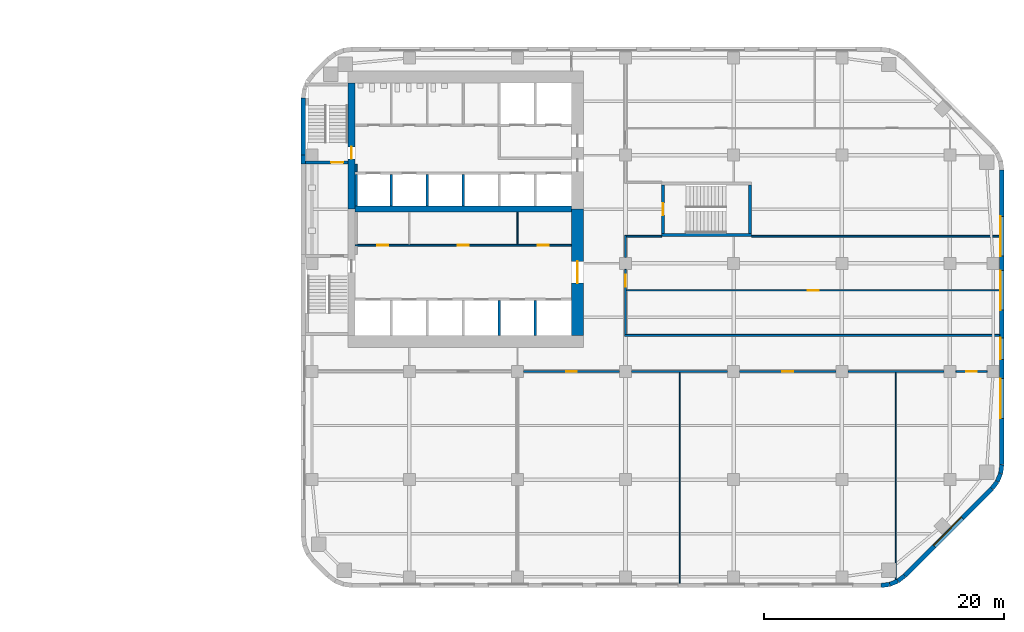
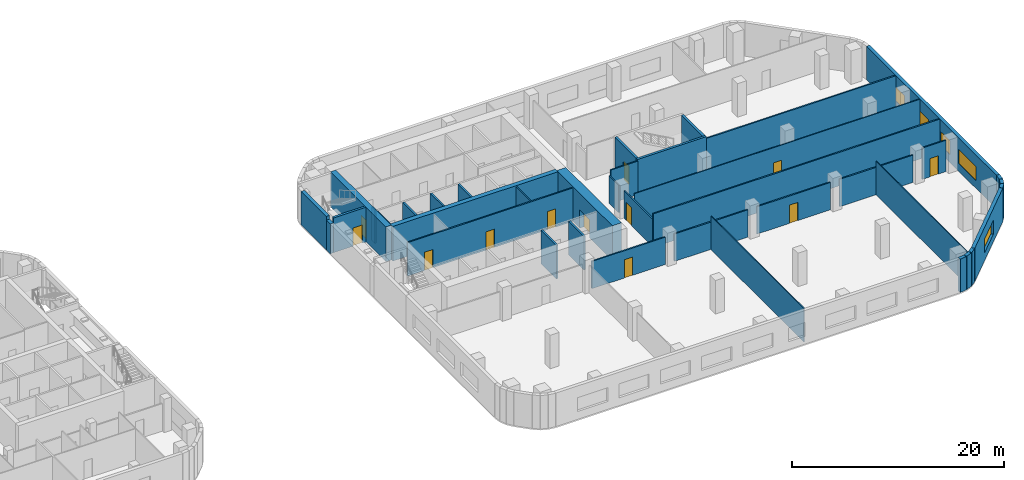
# One storey, part 9 of 15: 39 walls, 12 doors, 5 windows, 17 openings.
"""IFC4 building model written with IfcOpenShell, lengths in metres."""

from ifc_helpers import new_model, si_unit, direction, frame, frame_2d, origin, place, context, subcontext, project, spatial, rectangle, extrude, material, layer, layer_set, type_object, element, fill, save


model = new_model("IFC4")

# Units and contexts
model_context = context("Model", 3, precision=1e-05, world=origin(), true_north=direction((0.0, 1.0)))
body_context = subcontext(model_context, "Body", "Model", "MODEL_VIEW")
ifc_project = project(units=[si_unit("LENGTHUNIT", "METRE"), si_unit("AREAUNIT", "SQUARE_METRE"), si_unit("VOLUMEUNIT", "CUBIC_METRE"), si_unit("PLANEANGLEUNIT", "RADIAN"), si_unit("MASSUNIT", "GRAM", prefix="KILO")], contexts=[model_context])

# Site, building, storey
site_placement = place(None, origin())
site = spatial("IfcSite", under=ifc_project, at=site_placement, CompositionType="ELEMENT")
building_placement = place(site_placement, origin())
building = spatial("IfcBuilding", under=site, at=building_placement, Name="Cinnabar Reach Civic Tower", CompositionType="ELEMENT")
storey_placement = place(building_placement, frame((0.0, 0.0, 67.0)))
storey = spatial("IfcBuildingStorey", under=building, at=storey_placement, Name="L15", CompositionType="ELEMENT", Elevation=67.0)

# Walls
ifc_material_1 = material(Name="Facing brick with insulated backing", Category="masonry")
ifc_layer_1 = layer(ifc_material_1, 0.36)
ifc_layer_set_1 = layer_set([ifc_layer_1], Name="Brick corner wall")
wall_type_1 = type_object("IfcWallType", Name="Brick corner wall", PredefinedType="STANDARD", material=ifc_layer_set_1)
for number, where, z_axis, x_axis, name in (
    (1, (48.2686, 0.183, 0.0), (0.0, 0.0, 1.0), (0.99144092581, 0.13055608231, 0.0), "Brick corner wall"),
    (2, (48.9973, 0.2819, 0.0), (0.0, 0.0, 1.0), (0.923871547278, 0.382702709855, 0.0), "Brick corner wall"),
):
    element("IfcWall", number, at=place(storey_placement, frame(where, z_axis=z_axis, x_axis=x_axis)), inside=storey, type_object=wall_type_1, Name=name, PredefinedType="STANDARD", context=body_context, shape_type="SweptSolid", body=[
        extrude(rectangle(XDim=0.7131, YDim=0.36, at=frame_2d((0.3565, 0.0))), origin(), (0.0, 0.0, 1.0), 3.85),
    ])
for number, where, z_axis, x_axis, name in (
    (3, (49.6755, 0.566, 0.0), (0.0, 0.0, 1.0), (0.793321924995, 0.608802368033, 0.0), "Brick corner wall"),
    (4, (57.4998, 8.2587, 0.0), (0.0, 0.0, 1.0), (0.608802368033, 0.793321924995, 0.0), "Brick corner wall"),
):
    element("IfcWall", number, at=place(storey_placement, frame(where, z_axis=z_axis, x_axis=x_axis)), inside=storey, type_object=wall_type_1, Name=name, PredefinedType="STANDARD", context=body_context, shape_type="SweptSolid", body=[
        extrude(rectangle(XDim=0.7132, YDim=0.36, at=frame_2d((0.3566, 0.0))), origin(), (0.0, 0.0, 1.0), 3.85),
    ])
for number, where, z_axis, x_axis, name in (
    (5, (57.9452, 8.8439, 0.0), (0.0, 0.0, 1.0), (0.382702709855, 0.923871547278, 0.0), "Brick corner wall"),
    (6, (58.2239, 9.5244, 0.0), (0.0, 0.0, 1.0), (0.13055608231, 0.99144092581, 0.0), "Brick corner wall"),
):
    element("IfcWall", number, at=place(storey_placement, frame(where, z_axis=z_axis, x_axis=x_axis)), inside=storey, type_object=wall_type_1, Name=name, PredefinedType="STANDARD", context=body_context, shape_type="SweptSolid", body=[
        extrude(rectangle(XDim=0.7131, YDim=0.36, at=frame_2d((0.3565, 0.0))), origin(), (0.0, 0.0, 1.0), 3.85),
    ])

# Wall, opening, window
ifc_layer_2 = layer(ifc_material_1, 0.36)
ifc_layer_set_2 = layer_set([ifc_layer_2], Name="Brick pier and spandrel wall")
wall_type_2 = type_object("IfcWallType", Name="Brick pier and spandrel wall", PredefinedType="STANDARD", material=ifc_layer_set_2)
wall_1_placement = place(storey_placement, frame((50.2514, 1.006, 0.0), z_axis=(0.0, 0.0, 1.0), x_axis=(0.707106781187, 0.707106781187, 0.0)))
wall_1 = element("IfcWall", 7, at=wall_1_placement, inside=storey, type_object=wall_type_2, Name="Brick facade wall", PredefinedType="STANDARD", context=body_context, shape_type="SweptSolid", body=[
    extrude(rectangle(XDim=10.2426, YDim=0.36, at=frame_2d((5.1213, 0.0))), origin(), (0.0, 0.0, 1.0), 3.85),
])
opening_1_placement = place(wall_1_placement, frame((3.4713, 0.0, 0.9)))
opening_1 = element("IfcOpeningElement", 8, at=opening_1_placement, cuts=wall_1, Name="Opening W1276", PredefinedType="OPENING", context=body_context, shape_type="SweptSolid", body=[
    extrude(rectangle(XDim=3.3, YDim=1.6, at=frame_2d((1.65, 0.8))), frame((0.0, 0.19, 0.0), z_axis=(0.0, -1.0, 0.0), x_axis=(1.0, 0.0, 0.0)), (0.0, 0.0, 1.0), 0.38),
])
ifc_material_2 = material(Name="Clear double glazing in aluminium frame", Category="aluminium")
window_type_1 = type_object("IfcWindowType", Name="Deep-set window A", PartitioningType="SINGLE_PANEL", PredefinedType="WINDOW", material=ifc_material_2)
window_1_placement = place(opening_1_placement, origin())
window_1 = element("IfcWindow", 9, at=window_1_placement, inside=storey, type_object=window_type_1, Name="Window southeast face", OverallHeight=1.6, OverallWidth=3.3, PartitioningType="SINGLE_PANEL", PredefinedType="WINDOW", context=body_context, shape_type="SweptSolid", body=[
    extrude(rectangle(XDim=3.3, YDim=1.6, at=frame_2d((1.65, 0.8))), frame((0.0, 0.13, 0.0), z_axis=(0.0, -1.0, 0.0), x_axis=(1.0, 0.0, 0.0)), (0.0, 0.0, 1.0), 0.06),
])
fill(opening_1, window_1)

# Wall, openings, windows
wall_2_placement = place(storey_placement, frame((58.32, 10.2426, 0.0), z_axis=(0.0, 0.0, 1.0), x_axis=(0.0, 1.0, 0.0)))
wall_2 = element("IfcWall", 10, at=wall_2_placement, inside=storey, type_object=wall_type_2, Name="Brick facade wall", PredefinedType="STANDARD", context=body_context, shape_type="SweptSolid", body=[
    extrude(rectangle(XDim=24.5148, YDim=0.36, at=frame_2d((12.2574, 0.0))), origin(), (0.0, 0.0, 1.0), 3.85),
])
opening_2_placement = place(wall_2_placement, frame((3.8574, 0.0, 0.9)))
opening_2 = element("IfcOpeningElement", 11, at=opening_2_placement, cuts=wall_2, Name="Opening W1277", PredefinedType="OPENING", context=body_context, shape_type="SweptSolid", body=[
    extrude(rectangle(XDim=3.3, YDim=1.6, at=frame_2d((1.65, 0.8))), frame((0.0, 0.19, 0.0), z_axis=(0.0, -1.0, 0.0), x_axis=(1.0, 0.0, 0.0)), (0.0, 0.0, 1.0), 0.38),
])
opening_3_placement = place(wall_2_placement, frame((8.7574, 0.0, 0.9)))
opening_3 = element("IfcOpeningElement", 12, at=opening_3_placement, cuts=wall_2, Name="Opening W1278", PredefinedType="OPENING", context=body_context, shape_type="SweptSolid", body=[
    extrude(rectangle(XDim=1.8, YDim=1.6, at=frame_2d((0.9, 0.8))), frame((0.0, 0.19, 0.0), z_axis=(0.0, -1.0, 0.0), x_axis=(1.0, 0.0, 0.0)), (0.0, 0.0, 1.0), 0.38),
])
opening_4_placement = place(wall_2_placement, frame((12.8574, 0.0, 0.9)))
opening_4 = element("IfcOpeningElement", 13, at=opening_4_placement, cuts=wall_2, Name="Opening W1279", PredefinedType="OPENING", context=body_context, shape_type="SweptSolid", body=[
    extrude(rectangle(XDim=3.3, YDim=1.6, at=frame_2d((1.65, 0.8))), frame((0.0, 0.19, 0.0), z_axis=(0.0, -1.0, 0.0), x_axis=(1.0, 0.0, 0.0)), (0.0, 0.0, 1.0), 0.38),
])
opening_5_placement = place(wall_2_placement, frame((17.3574, 0.0, 0.9)))
opening_5 = element("IfcOpeningElement", 14, at=opening_5_placement, cuts=wall_2, Name="Opening W1280", PredefinedType="OPENING", context=body_context, shape_type="SweptSolid", body=[
    extrude(rectangle(XDim=3.3, YDim=1.6, at=frame_2d((1.65, 0.8))), frame((0.0, 0.19, 0.0), z_axis=(0.0, -1.0, 0.0), x_axis=(1.0, 0.0, 0.0)), (0.0, 0.0, 1.0), 0.38),
])
window_2_placement = place(opening_2_placement, origin())
window_2 = element("IfcWindow", 15, at=window_2_placement, inside=storey, type_object=window_type_1, Name="Window east face", OverallHeight=1.6, OverallWidth=3.3, PartitioningType="SINGLE_PANEL", PredefinedType="WINDOW", context=body_context, shape_type="SweptSolid", body=[
    extrude(rectangle(XDim=3.3, YDim=1.6, at=frame_2d((1.65, 0.8))), frame((0.0, 0.13, 0.0), z_axis=(0.0, -1.0, 0.0), x_axis=(1.0, 0.0, 0.0)), (0.0, 0.0, 1.0), 0.06),
])
fill(opening_2, window_2)
window_3_placement = place(opening_4_placement, origin())
window_3 = element("IfcWindow", 16, at=window_3_placement, inside=storey, type_object=window_type_1, Name="Window east face", OverallHeight=1.6, OverallWidth=3.3, PartitioningType="SINGLE_PANEL", PredefinedType="WINDOW", context=body_context, shape_type="SweptSolid", body=[
    extrude(rectangle(XDim=3.3, YDim=1.6, at=frame_2d((1.65, 0.8))), frame((0.0, 0.13, 0.0), z_axis=(0.0, -1.0, 0.0), x_axis=(1.0, 0.0, 0.0)), (0.0, 0.0, 1.0), 0.06),
])
fill(opening_4, window_3)
window_4_placement = place(opening_5_placement, origin())
window_4 = element("IfcWindow", 17, at=window_4_placement, inside=storey, type_object=window_type_1, Name="Window east face", OverallHeight=1.6, OverallWidth=3.3, PartitioningType="SINGLE_PANEL", PredefinedType="WINDOW", context=body_context, shape_type="SweptSolid", body=[
    extrude(rectangle(XDim=3.3, YDim=1.6, at=frame_2d((1.65, 0.8))), frame((0.0, 0.13, 0.0), z_axis=(0.0, -1.0, 0.0), x_axis=(1.0, 0.0, 0.0)), (0.0, 0.0, 1.0), 0.06),
])
fill(opening_5, window_4)
window_type_2 = type_object("IfcWindowType", Name="Deep-set window D", PartitioningType="SINGLE_PANEL", PredefinedType="WINDOW", material=ifc_material_2)
window_5_placement = place(opening_3_placement, origin())
window_5 = element("IfcWindow", 18, at=window_5_placement, inside=storey, type_object=window_type_2, Name="Window east face", OverallHeight=1.6, OverallWidth=1.8, PartitioningType="SINGLE_PANEL", PredefinedType="WINDOW", context=body_context, shape_type="SweptSolid", body=[
    extrude(rectangle(XDim=1.8, YDim=1.6, at=frame_2d((0.9, 0.8))), frame((0.0, 0.13, 0.0), z_axis=(0.0, -1.0, 0.0), x_axis=(1.0, 0.0, 0.0)), (0.0, 0.0, 1.0), 0.06),
])
fill(opening_3, window_5)

# Walls
wall_3_placement = place(storey_placement, frame((0.18, 40.7574, 0.0), z_axis=(0.0, 0.0, 1.0), x_axis=(0.0, -1.0, 0.0)))
element("IfcWall", 19, at=wall_3_placement, inside=storey, type_object=wall_type_2, Name="Brick facade wall", PredefinedType="STANDARD", context=body_context, shape_type="SweptSolid", body=[
    extrude(rectangle(XDim=4.7574, YDim=0.36, at=frame_2d((2.3787, 0.0))), origin(), (0.0, 0.0, 1.0), 3.85),
])
wall_4_placement = place(storey_placement, frame((0.18, 36.0, 0.0), z_axis=(0.0, 0.0, 1.0), x_axis=(0.0, -1.0, 0.0)))
element("IfcWall", 20, at=wall_4_placement, inside=storey, type_object=wall_type_2, Name="Brick facade wall", PredefinedType="STANDARD", context=body_context, shape_type="SweptSolid", body=[
    extrude(rectangle(XDim=0.75, YDim=0.36, at=frame_2d((0.375, 0.0))), origin(), (0.0, 0.0, 1.0), 3.436),
])

# Wall, opening, door
ifc_material_3 = material(Name="Concrete C70", Category="concrete")
ifc_layer_3 = layer(ifc_material_3, 1.0)
ifc_layer_set_3 = layer_set([ifc_layer_3], Name="Core wall 1000 EI 180")
wall_type_3 = type_object("IfcWallType", Name="Core wall 1000 EI 180", PredefinedType="SOLIDWALL", material=ifc_layer_set_3)
wall_5_placement = place(storey_placement, frame((23.0, 21.0, 0.0), z_axis=(0.0, 0.0, 1.0), x_axis=(0.0, 1.0, 0.0)))
wall_5 = element("IfcWall", 21, at=wall_5_placement, inside=storey, type_object=wall_type_3, Name="Core wall T1 L15 E", PredefinedType="SOLIDWALL", context=body_context, shape_type="SweptSolid", body=[
    extrude(rectangle(XDim=10.5, YDim=1.0, at=frame_2d((5.25, 0.0))), origin(), (0.0, 0.0, 1.0), 4.0),
])
opening_6_placement = place(wall_5_placement, frame((4.35, 0.0, 0.0)))
opening_6 = element("IfcOpeningElement", 22, at=opening_6_placement, cuts=wall_5, Name="Opening D3610", PredefinedType="OPENING", context=body_context, shape_type="SweptSolid", body=[
    extrude(rectangle(XDim=1.8, YDim=2.1, at=frame_2d((0.9, 1.05))), frame((0.0, 0.51, 0.0), z_axis=(0.0, -1.0, 0.0), x_axis=(1.0, 0.0, 0.0)), (0.0, 0.0, 1.0), 1.02),
])
ifc_material_4 = material(Name="Timber door leaf in steel frame", Category="steel")
door_type_1 = type_object("IfcDoorType", Name="Double swing door 1800 x 2100 T1", OperationType="DOUBLE_DOOR_DOUBLE_SWING", PredefinedType="DOOR", material=ifc_material_4)
door_1_placement = place(opening_6_placement, origin())
door_1 = element("IfcDoor", 23, at=door_1_placement, inside=storey, type_object=door_type_1, Name="Door D3610", OperationType="DOUBLE_DOOR_DOUBLE_SWING", OverallHeight=2.1, OverallWidth=1.8, PredefinedType="DOOR", context=body_context, shape_type="SweptSolid", body=[
    extrude(rectangle(XDim=1.8, YDim=2.1, at=frame_2d((0.9, 1.05))), frame((0.0, 0.025, 0.0), z_axis=(0.0, -1.0, 0.0), x_axis=(1.0, 0.0, 0.0)), (0.0, 0.0, 1.0), 0.05),
])
fill(opening_6, door_1)

# Wall
ifc_material_5 = material(Name="Concrete C60", Category="concrete")
ifc_layer_4 = layer(ifc_material_5, 0.5)
ifc_layer_set_4 = layer_set([ifc_layer_4], Name="Core wall 500 EI 180")
wall_type_4 = type_object("IfcWallType", Name="Core wall 500 EI 180", PredefinedType="SOLIDWALL", material=ifc_layer_set_4)
wall_6_placement = place(storey_placement, frame((4.5, 31.5, 0.0), z_axis=(0.0, 0.0, 1.0), x_axis=(1.0, 0.0, 0.0)))
element("IfcWall", 24, at=wall_6_placement, inside=storey, type_object=wall_type_4, Name="Core spine wall T1 L15", PredefinedType="SOLIDWALL", context=body_context, shape_type="SweptSolid", body=[
    extrude(rectangle(XDim=18.0, YDim=0.5, at=frame_2d((9.0, 0.0))), origin(), (0.0, 0.0, 1.0), 4.0),
])

# Wall, opening, door
ifc_layer_5 = layer(ifc_material_3, 0.6)
ifc_layer_set_5 = layer_set([ifc_layer_5], Name="Core wall 600 EI 180")
wall_type_5 = type_object("IfcWallType", Name="Core wall 600 EI 180", PredefinedType="SOLIDWALL", material=ifc_layer_set_5)
wall_7_placement = place(storey_placement, frame((4.2, 42.0, 0.0), z_axis=(0.0, 0.0, 1.0), x_axis=(0.0, -1.0, 0.0)))
wall_7 = element("IfcWall", 25, at=wall_7_placement, inside=storey, type_object=wall_type_5, Name="Core wall T1 L15 W", PredefinedType="SOLIDWALL", context=body_context, shape_type="SweptSolid", body=[
    extrude(rectangle(XDim=10.5, YDim=0.6, at=frame_2d((5.25, 0.0))), origin(), (0.0, 0.0, 1.0), 4.0),
])
opening_7_placement = place(wall_7_placement, frame((5.3, 0.0, 0.0)))
opening_7 = element("IfcOpeningElement", 26, at=opening_7_placement, cuts=wall_7, Name="Opening D3596", PredefinedType="OPENING", context=body_context, shape_type="SweptSolid", body=[
    extrude(rectangle(XDim=1.0, YDim=2.1, at=frame_2d((0.5, 1.05))), frame((0.0, 0.31, 0.0), z_axis=(0.0, -1.0, 0.0), x_axis=(1.0, 0.0, 0.0)), (0.0, 0.0, 1.0), 0.62),
])
door_type_2 = type_object("IfcDoorType", Name="Stair door 1000 x 2100 T1", OperationType="SINGLE_SWING_LEFT", PredefinedType="DOOR", material=ifc_material_4)
door_2_placement = place(opening_7_placement, frame((1.0, 0.0, 0.0), z_axis=(0.0, 0.0, 1.0), x_axis=(-1.0, 0.0, 0.0)))
door_2 = element("IfcDoor", 27, at=door_2_placement, inside=storey, type_object=door_type_2, Name="Door D3596", OperationType="SINGLE_SWING_LEFT", OverallHeight=2.1, OverallWidth=1.0, PredefinedType="DOOR", context=body_context, shape_type="SweptSolid", body=[
    extrude(rectangle(XDim=1.0, YDim=2.1, at=frame_2d((0.5, 1.05))), frame((0.0, 0.025, 0.0), z_axis=(0.0, -1.0, 0.0), x_axis=(1.0, 0.0, 0.0)), (0.0, 0.0, 1.0), 0.05),
])
fill(opening_7, door_2)

ifc_material_6 = material(Name="Gypsum board on steel studs, double layer", Category="steel")
ifc_layer_6 = layer(ifc_material_6, 0.15)
ifc_layer_set_6 = layer_set([ifc_layer_6], Name="Corridor wall 150 T1")
wall_type_6 = type_object("IfcWallType", Name="Corridor wall 150 T1", PredefinedType="PARTITIONING", material=ifc_layer_set_6)
wall_8_placement = place(storey_placement, frame((54.5, 18.0, 0.0), z_axis=(0.0, 0.0, 1.0), x_axis=(1.0, 0.0, 0.0)))
wall_8 = element("IfcWall", 28, at=wall_8_placement, inside=storey, type_object=wall_type_6, Name="Corridor wall 19", PredefinedType="PARTITIONING", context=body_context, shape_type="SweptSolid", body=[
    extrude(rectangle(XDim=2.6, YDim=0.15, at=frame_2d((1.3, 0.0))), origin(), (0.0, 0.0, 1.0), 3.602),
])
opening_8_placement = place(wall_8_placement, frame((0.85, 0.0, 0.0)))
opening_8 = element("IfcOpeningElement", 29, at=opening_8_placement, cuts=wall_8, Name="Opening D3629", PredefinedType="OPENING", context=body_context, shape_type="SweptSolid", body=[
    extrude(rectangle(XDim=0.9, YDim=2.1, at=frame_2d((0.45, 1.05))), frame((0.0, 0.085, 0.0), z_axis=(0.0, -1.0, 0.0), x_axis=(1.0, 0.0, 0.0)), (0.0, 0.0, 1.0), 0.17),
])
door_type_3 = type_object("IfcDoorType", Name="Single swing door 900 x 2100 corridor T1", OperationType="SINGLE_SWING_LEFT", PredefinedType="DOOR", material=ifc_material_4)
door_3_placement = place(opening_8_placement, frame((0.9, 0.0, 0.0), z_axis=(0.0, 0.0, 1.0), x_axis=(-1.0, 0.0, 0.0)))
door_3 = element("IfcDoor", 30, at=door_3_placement, inside=storey, type_object=door_type_3, Name="Door D3629", OperationType="SINGLE_SWING_LEFT", OverallHeight=2.1, OverallWidth=0.9, PredefinedType="DOOR", context=body_context, shape_type="SweptSolid", body=[
    extrude(rectangle(XDim=0.9, YDim=2.1, at=frame_2d((0.45, 1.05))), frame((0.0, 0.025, 0.0), z_axis=(0.0, -1.0, 0.0), x_axis=(1.0, 0.0, 0.0)), (0.0, 0.0, 1.0), 0.05),
])
fill(opening_8, door_3)

# Wall
wall_9_placement = place(storey_placement, frame((45.5, 18.0, 0.0), z_axis=(0.0, 0.0, 1.0), x_axis=(1.0, 0.0, 0.0)))
element("IfcWall", 31, at=wall_9_placement, inside=storey, type_object=wall_type_6, Name="Corridor wall 20", PredefinedType="PARTITIONING", context=body_context, shape_type="SweptSolid", body=[
    extrude(rectangle(XDim=8.0, YDim=0.15, at=frame_2d((4.0, 0.0))), origin(), (0.0, 0.0, 1.0), 3.15),
])

# Wall, opening, door
wall_10_placement = place(storey_placement, frame((36.5, 18.0, 0.0), z_axis=(0.0, 0.0, 1.0), x_axis=(1.0, 0.0, 0.0)))
wall_10 = element("IfcWall", 32, at=wall_10_placement, inside=storey, type_object=wall_type_6, Name="Corridor wall 21", PredefinedType="PARTITIONING", context=body_context, shape_type="SweptSolid", body=[
    extrude(rectangle(XDim=8.0, YDim=0.15, at=frame_2d((4.0, 0.0))), origin(), (0.0, 0.0, 1.0), 3.15),
])
opening_9_placement = place(wall_10_placement, frame((3.55, 0.0, 0.0)))
opening_9 = element("IfcOpeningElement", 33, at=opening_9_placement, cuts=wall_10, Name="Opening D3628", PredefinedType="OPENING", context=body_context, shape_type="SweptSolid", body=[
    extrude(rectangle(XDim=0.9, YDim=2.1, at=frame_2d((0.45, 1.05))), frame((0.0, 0.085, 0.0), z_axis=(0.0, -1.0, 0.0), x_axis=(1.0, 0.0, 0.0)), (0.0, 0.0, 1.0), 0.17),
])
door_4_placement = place(opening_9_placement, frame((0.9, 0.0, 0.0), z_axis=(0.0, 0.0, 1.0), x_axis=(-1.0, 0.0, 0.0)))
door_4 = element("IfcDoor", 34, at=door_4_placement, inside=storey, type_object=door_type_3, Name="Door D3628", OperationType="SINGLE_SWING_RIGHT", OverallHeight=2.1, OverallWidth=0.9, PredefinedType="DOOR", context=body_context, shape_type="SweptSolid", body=[
    extrude(rectangle(XDim=0.9, YDim=2.1, at=frame_2d((0.45, 1.05))), frame((0.0, 0.025, 0.0), z_axis=(0.0, -1.0, 0.0), x_axis=(1.0, 0.0, 0.0)), (0.0, 0.0, 1.0), 0.05),
])
fill(opening_9, door_4)

# Wall
wall_11_placement = place(storey_placement, frame((27.5, 18.0, 0.0), z_axis=(0.0, 0.0, 1.0), x_axis=(1.0, 0.0, 0.0)))
element("IfcWall", 35, at=wall_11_placement, inside=storey, type_object=wall_type_6, Name="Corridor wall 22", PredefinedType="PARTITIONING", context=body_context, shape_type="SweptSolid", body=[
    extrude(rectangle(XDim=8.0, YDim=0.15, at=frame_2d((4.0, 0.0))), origin(), (0.0, 0.0, 1.0), 3.15),
])

# Wall, opening, door
wall_12_placement = place(storey_placement, frame((18.5, 18.0, 0.0), z_axis=(0.0, 0.0, 1.0), x_axis=(1.0, 0.0, 0.0)))
wall_12 = element("IfcWall", 36, at=wall_12_placement, inside=storey, type_object=wall_type_6, Name="Corridor wall 23", PredefinedType="PARTITIONING", context=body_context, shape_type="SweptSolid", body=[
    extrude(rectangle(XDim=8.0, YDim=0.15, at=frame_2d((4.0, 0.0))), origin(), (0.0, 0.0, 1.0), 3.15),
])
opening_10_placement = place(wall_12_placement, frame((3.55, 0.0, 0.0)))
opening_10 = element("IfcOpeningElement", 37, at=opening_10_placement, cuts=wall_12, Name="Opening D3627", PredefinedType="OPENING", context=body_context, shape_type="SweptSolid", body=[
    extrude(rectangle(XDim=0.9, YDim=2.1, at=frame_2d((0.45, 1.05))), frame((0.0, 0.085, 0.0), z_axis=(0.0, -1.0, 0.0), x_axis=(1.0, 0.0, 0.0)), (0.0, 0.0, 1.0), 0.17),
])
door_5_placement = place(opening_10_placement, frame((0.9, 0.0, 0.0), z_axis=(0.0, 0.0, 1.0), x_axis=(-1.0, 0.0, 0.0)))
door_5 = element("IfcDoor", 38, at=door_5_placement, inside=storey, type_object=door_type_3, Name="Door D3627", OperationType="SINGLE_SWING_RIGHT", OverallHeight=2.1, OverallWidth=0.9, PredefinedType="DOOR", context=body_context, shape_type="SweptSolid", body=[
    extrude(rectangle(XDim=0.9, YDim=2.1, at=frame_2d((0.45, 1.05))), frame((0.0, 0.025, 0.0), z_axis=(0.0, -1.0, 0.0), x_axis=(1.0, 0.0, 0.0)), (0.0, 0.0, 1.0), 0.05),
])
fill(opening_10, door_5)

# Wall
wall_13_placement = place(storey_placement, frame((26.925, 21.0, 0.0), z_axis=(0.0, 0.0, 1.0), x_axis=(1.0, 0.0, 0.0)))
element("IfcWall", 39, at=wall_13_placement, inside=storey, type_object=wall_type_6, Name="Corridor wall 26", PredefinedType="PARTITIONING", context=body_context, shape_type="SweptSolid", body=[
    extrude(rectangle(XDim=31.215, YDim=0.15, at=frame_2d((15.6075, 0.0))), origin(), (0.0, 0.0, 1.0), 3.85),
])

# Wall, openings, doors
wall_14_placement = place(storey_placement, frame((4.5, 28.5, 0.0), z_axis=(0.0, 0.0, 1.0), x_axis=(1.0, 0.0, 0.0)))
wall_14 = element("IfcWall", 40, at=wall_14_placement, inside=storey, type_object=wall_type_6, Name="Corridor wall 27", PredefinedType="PARTITIONING", context=body_context, shape_type="SweptSolid", body=[
    extrude(rectangle(XDim=18.0, YDim=0.15, at=frame_2d((9.0, 0.0))), origin(), (0.0, 0.0, 1.0), 3.85),
])
opening_11_placement = place(wall_14_placement, frame((1.85, 0.0, 0.0)))
opening_11 = element("IfcOpeningElement", 41, at=opening_11_placement, cuts=wall_14, Name="Opening D3614", PredefinedType="OPENING", context=body_context, shape_type="SweptSolid", body=[
    extrude(rectangle(XDim=0.9, YDim=2.1, at=frame_2d((0.45, 1.05))), frame((0.0, 0.085, 0.0), z_axis=(0.0, -1.0, 0.0), x_axis=(1.0, 0.0, 0.0)), (0.0, 0.0, 1.0), 0.17),
])
opening_12_placement = place(wall_14_placement, frame((8.55, 0.0, 0.0)))
opening_12 = element("IfcOpeningElement", 42, at=opening_12_placement, cuts=wall_14, Name="Opening D3615", PredefinedType="OPENING", context=body_context, shape_type="SweptSolid", body=[
    extrude(rectangle(XDim=0.9, YDim=2.1, at=frame_2d((0.45, 1.05))), frame((0.0, 0.085, 0.0), z_axis=(0.0, -1.0, 0.0), x_axis=(1.0, 0.0, 0.0)), (0.0, 0.0, 1.0), 0.17),
])
opening_13_placement = place(wall_14_placement, frame((15.2, 0.0, 0.0)))
opening_13 = element("IfcOpeningElement", 43, at=opening_13_placement, cuts=wall_14, Name="Opening D3616", PredefinedType="OPENING", context=body_context, shape_type="SweptSolid", body=[
    extrude(rectangle(XDim=0.9, YDim=2.1, at=frame_2d((0.45, 1.05))), frame((0.0, 0.085, 0.0), z_axis=(0.0, -1.0, 0.0), x_axis=(1.0, 0.0, 0.0)), (0.0, 0.0, 1.0), 0.17),
])
door_6_placement = place(opening_11_placement, origin())
door_6 = element("IfcDoor", 44, at=door_6_placement, inside=storey, type_object=door_type_3, Name="Door D3614", OperationType="SINGLE_SWING_RIGHT", OverallHeight=2.1, OverallWidth=0.9, PredefinedType="DOOR", context=body_context, shape_type="SweptSolid", body=[
    extrude(rectangle(XDim=0.9, YDim=2.1, at=frame_2d((0.45, 1.05))), frame((0.0, 0.025, 0.0), z_axis=(0.0, -1.0, 0.0), x_axis=(1.0, 0.0, 0.0)), (0.0, 0.0, 1.0), 0.05),
])
fill(opening_11, door_6)
door_7_placement = place(opening_12_placement, origin())
door_7 = element("IfcDoor", 45, at=door_7_placement, inside=storey, type_object=door_type_3, Name="Door D3615", OperationType="SINGLE_SWING_LEFT", OverallHeight=2.1, OverallWidth=0.9, PredefinedType="DOOR", context=body_context, shape_type="SweptSolid", body=[
    extrude(rectangle(XDim=0.9, YDim=2.1, at=frame_2d((0.45, 1.05))), frame((0.0, 0.025, 0.0), z_axis=(0.0, -1.0, 0.0), x_axis=(1.0, 0.0, 0.0)), (0.0, 0.0, 1.0), 0.05),
])
fill(opening_12, door_7)
door_8_placement = place(opening_13_placement, origin())
door_8 = element("IfcDoor", 46, at=door_8_placement, inside=storey, type_object=door_type_3, Name="Door D3616", OperationType="SINGLE_SWING_RIGHT", OverallHeight=2.1, OverallWidth=0.9, PredefinedType="DOOR", context=body_context, shape_type="SweptSolid", body=[
    extrude(rectangle(XDim=0.9, YDim=2.1, at=frame_2d((0.45, 1.05))), frame((0.0, 0.025, 0.0), z_axis=(0.0, -1.0, 0.0), x_axis=(1.0, 0.0, 0.0)), (0.0, 0.0, 1.0), 0.05),
])
fill(opening_13, door_8)

# Wall, opening, door
wall_15_placement = place(storey_placement, frame((27.0, 21.075, 0.0), z_axis=(0.0, 0.0, 1.0), x_axis=(0.0, 1.0, 0.0)))
wall_15 = element("IfcWall", 47, at=wall_15_placement, inside=storey, type_object=wall_type_6, Name="Corridor wall 31", PredefinedType="PARTITIONING", context=body_context, shape_type="SweptSolid", body=[
    extrude(rectangle(XDim=5.425, YDim=0.15, at=frame_2d((2.7125, 0.0))), origin(), (0.0, 0.0, 1.0), 3.158),
])
opening_14_placement = place(wall_15_placement, frame((3.975, 0.0, 0.0)))
opening_14 = element("IfcOpeningElement", 48, at=opening_14_placement, cuts=wall_15, Name="Opening D3624", PredefinedType="OPENING", context=body_context, shape_type="SweptSolid", body=[
    extrude(rectangle(XDim=1.0, YDim=2.1, at=frame_2d((0.5, 1.05))), frame((0.0, 0.085, 0.0), z_axis=(0.0, -1.0, 0.0), x_axis=(1.0, 0.0, 0.0)), (0.0, 0.0, 1.0), 0.17),
])
door_type_4 = type_object("IfcDoorType", Name="Tenancy entrance door 1000 x 2100 T1", OperationType="SINGLE_SWING_LEFT", PredefinedType="DOOR", material=ifc_material_4)
door_9_placement = place(opening_14_placement, frame((1.0, 0.0, 0.0), z_axis=(0.0, 0.0, 1.0), x_axis=(-1.0, 0.0, 0.0)))
door_9 = element("IfcDoor", 49, at=door_9_placement, inside=storey, type_object=door_type_4, Name="Door D3624", OperationType="SINGLE_SWING_RIGHT", OverallHeight=2.1, OverallWidth=1.0, PredefinedType="DOOR", context=body_context, shape_type="SweptSolid", body=[
    extrude(rectangle(XDim=1.0, YDim=2.1, at=frame_2d((0.5, 1.05))), frame((0.0, 0.025, 0.0), z_axis=(0.0, -1.0, 0.0), x_axis=(1.0, 0.0, 0.0)), (0.0, 0.0, 1.0), 0.05),
])
fill(opening_14, door_9)

# Walls
wall_16_placement = place(storey_placement, frame((27.0, 27.5, 0.0), z_axis=(0.0, 0.0, 1.0), x_axis=(0.0, 1.0, 0.0)))
element("IfcWall", 50, at=wall_16_placement, inside=storey, type_object=wall_type_6, Name="Corridor wall 32", PredefinedType="PARTITIONING", context=body_context, shape_type="SweptSolid", body=[
    extrude(rectangle(XDim=1.825, YDim=0.15, at=frame_2d((0.9125, 0.0))), origin(), (0.0, 0.0, 1.0), 3.158),
])
wall_17_placement = place(storey_placement, frame((27.075, 29.25, 0.0), z_axis=(0.0, 0.0, 1.0), x_axis=(1.0, 0.0, 0.0)))
element("IfcWall", 51, at=wall_17_placement, inside=storey, type_object=wall_type_6, Name="Corridor wall 35", PredefinedType="PARTITIONING", context=body_context, shape_type="SweptSolid", body=[
    extrude(rectangle(XDim=2.925, YDim=0.15, at=frame_2d((1.4625, 0.0))), origin(), (0.0, 0.0, 1.0), 3.85),
])
wall_18_placement = place(storey_placement, frame((4.575, 34.6, 0.0), z_axis=(0.0, 0.0, 1.0), x_axis=(0.0, 1.0, 0.0)))
element("IfcWall", 52, at=wall_18_placement, inside=storey, type_object=wall_type_6, Name="Corridor wall 38", PredefinedType="PARTITIONING", context=body_context, shape_type="SweptSolid", body=[
    extrude(rectangle(XDim=0.65, YDim=0.15, at=frame_2d((0.325, 0.0))), origin(), (0.0, 0.0, 1.0), 3.85),
])
ifc_material_7 = material(Name="Blockwork", Category="masonry")
ifc_layer_7 = layer(ifc_material_7, 0.2)
ifc_layer_set_7 = layer_set([ifc_layer_7], Name="Lift shaft wall 200 T1")
wall_type_7 = type_object("IfcWallType", Name="Lift shaft wall 200 T1", PredefinedType="PARTITIONING", material=ifc_layer_set_7)
for number, where, z_axis, x_axis, name in (
    (53, (4.6, 31.75, 0.0), (0.0, 0.0, 1.0), (0.0, 1.0, 0.0), "Lift shaft wall 8"),
    (54, (7.5, 31.75, 0.0), (0.0, 0.0, 1.0), (0.0, 1.0, 0.0), "Lift shaft wall 10"),
    (55, (10.5, 31.75, 0.0), (0.0, 0.0, 1.0), (0.0, 1.0, 0.0), "Lift shaft wall 12"),
    (56, (13.5, 31.75, 0.0), (0.0, 0.0, 1.0), (0.0, 1.0, 0.0), "Lift shaft wall 14"),
):
    element("IfcWall", number, at=place(storey_placement, frame(where, z_axis=z_axis, x_axis=x_axis)), inside=storey, type_object=wall_type_7, Name=name, PredefinedType="PARTITIONING", context=body_context, shape_type="SweptSolid", body=[
        extrude(rectangle(XDim=2.65, YDim=0.2, at=frame_2d((1.325, 0.0))), origin(), (0.0, 0.0, 1.0), 3.85),
    ])
for number, where, z_axis, x_axis, name in (
    (57, (16.5, 21.0, 0.0), (0.0, 0.0, 1.0), (0.0, 1.0, 0.0), "Lift shaft wall 15"),
    (58, (19.5, 21.0, 0.0), (0.0, 0.0, 1.0), (0.0, 1.0, 0.0), "Lift shaft wall 17"),
):
    element("IfcWall", number, at=place(storey_placement, frame(where, z_axis=z_axis, x_axis=x_axis)), inside=storey, type_object=wall_type_7, Name=name, PredefinedType="PARTITIONING", context=body_context, shape_type="SweptSolid", body=[
        extrude(rectangle(XDim=2.9, YDim=0.2, at=frame_2d((1.45, 0.0))), origin(), (0.0, 0.0, 1.0), 3.85),
    ])

# Wall, opening, door
ifc_material_8 = material(Name="Gypsum board on steel studs", Category="steel")
ifc_layer_8 = layer(ifc_material_8, 0.1)
ifc_layer_set_8 = layer_set([ifc_layer_8], Name="Partition wall 100 T1")
wall_type_8 = type_object("IfcWallType", Name="Partition wall 100 T1", PredefinedType="PARTITIONING", material=ifc_layer_set_8)
wall_19_placement = place(storey_placement, frame((27.075, 24.75, 0.0), z_axis=(0.0, 0.0, 1.0), x_axis=(1.0, 0.0, 0.0)))
wall_19 = element("IfcWall", 59, at=wall_19_placement, inside=storey, type_object=wall_type_8, Name="Partition wall 41", PredefinedType="PARTITIONING", context=body_context, shape_type="SweptSolid", body=[
    extrude(rectangle(XDim=31.065, YDim=0.1, at=frame_2d((15.5325, 0.0))), origin(), (0.0, 0.0, 1.0), 3.85),
])
opening_15_placement = place(wall_19_placement, frame((15.1, 0.0, 0.0)))
opening_15 = element("IfcOpeningElement", 60, at=opening_15_placement, cuts=wall_19, Name="Opening D3625", PredefinedType="OPENING", context=body_context, shape_type="SweptSolid", body=[
    extrude(rectangle(XDim=0.9, YDim=2.1, at=frame_2d((0.45, 1.05))), frame((0.0, 0.06, 0.0), z_axis=(0.0, -1.0, 0.0), x_axis=(1.0, 0.0, 0.0)), (0.0, 0.0, 1.0), 0.12),
])
door_type_5 = type_object("IfcDoorType", Name="Single swing door 900 x 2100 T1", OperationType="SINGLE_SWING_LEFT", PredefinedType="DOOR", material=ifc_material_4)
door_10_placement = place(opening_15_placement, frame((0.9, 0.0, 0.0), z_axis=(0.0, 0.0, 1.0), x_axis=(-1.0, 0.0, 0.0)))
door_10 = element("IfcDoor", 61, at=door_10_placement, inside=storey, type_object=door_type_5, Name="Door D3625", OperationType="SINGLE_SWING_RIGHT", OverallHeight=2.1, OverallWidth=0.9, PredefinedType="DOOR", context=body_context, shape_type="SweptSolid", body=[
    extrude(rectangle(XDim=0.9, YDim=2.1, at=frame_2d((0.45, 1.05))), frame((0.0, 0.025, 0.0), z_axis=(0.0, -1.0, 0.0), x_axis=(1.0, 0.0, 0.0)), (0.0, 0.0, 1.0), 0.05),
])
fill(opening_15, door_10)

# Walls
wall_20_placement = place(storey_placement, frame((31.5, 0.36, 0.0), z_axis=(0.0, 0.0, 1.0), x_axis=(0.0, 1.0, 0.0)))
element("IfcWall", 62, at=wall_20_placement, inside=storey, type_object=wall_type_8, Name="Partition wall 45", PredefinedType="PARTITIONING", context=body_context, shape_type="SweptSolid", body=[
    extrude(rectangle(XDim=17.565, YDim=0.1, at=frame_2d((8.7825, 0.0))), origin(), (0.0, 0.0, 1.0), 3.85),
])
wall_21_placement = place(storey_placement, frame((49.5, 0.7057, 0.0), z_axis=(0.0, 0.0, 1.0), x_axis=(0.0, 1.0, 0.0)))
element("IfcWall", 63, at=wall_21_placement, inside=storey, type_object=wall_type_8, Name="Partition wall 46", PredefinedType="PARTITIONING", context=body_context, shape_type="SweptSolid", body=[
    extrude(rectangle(XDim=17.2193, YDim=0.1, at=frame_2d((8.6097, 0.0))), origin(), (0.0, 0.0, 1.0), 3.85),
])
wall_22_placement = place(storey_placement, frame((18.0, 28.575, 0.0), z_axis=(0.0, 0.0, 1.0), x_axis=(0.0, 1.0, 0.0)))
element("IfcWall", 64, at=wall_22_placement, inside=storey, type_object=wall_type_8, Name="Partition wall 51", PredefinedType="PARTITIONING", context=body_context, shape_type="SweptSolid", body=[
    extrude(rectangle(XDim=2.675, YDim=0.1, at=frame_2d((1.3375, 0.0))), origin(), (0.0, 0.0, 1.0), 3.85),
])

# Wall, opening, door
ifc_layer_9 = layer(ifc_material_5, 0.25)
ifc_layer_set_9 = layer_set([ifc_layer_9], Name="Stair shaft wall 250 EI 120")
wall_type_9 = type_object("IfcWallType", Name="Stair shaft wall 250 EI 120", PredefinedType="SOLIDWALL", material=ifc_layer_set_9)
wall_23_placement = place(storey_placement, frame((0.36, 35.375, 0.0), z_axis=(0.0, 0.0, 1.0), x_axis=(1.0, 0.0, 0.0)))
wall_23 = element("IfcWall", 65, at=wall_23_placement, inside=storey, type_object=wall_type_9, Name="Stair shaft wall T1-S2 L15", PredefinedType="SOLIDWALL", context=body_context, shape_type="SweptSolid", body=[
    extrude(rectangle(XDim=3.54, YDim=0.25, at=frame_2d((1.77, 0.0))), origin(), (0.0, 0.0, 1.0), 4.0),
])
opening_16_placement = place(wall_23_placement, frame((2.14, 0.0, 0.0)))
opening_16 = element("IfcOpeningElement", 66, at=opening_16_placement, cuts=wall_23, Name="Opening D3597", PredefinedType="OPENING", context=body_context, shape_type="SweptSolid", body=[
    extrude(rectangle(XDim=1.0, YDim=2.1, at=frame_2d((0.5, 1.05))), frame((0.0, 0.135, 0.0), z_axis=(0.0, -1.0, 0.0), x_axis=(1.0, 0.0, 0.0)), (0.0, 0.0, 1.0), 0.27),
])
door_11_placement = place(opening_16_placement, origin())
door_11 = element("IfcDoor", 67, at=door_11_placement, inside=storey, type_object=door_type_2, Name="Door D3597", OperationType="SINGLE_SWING_RIGHT", OverallHeight=2.1, OverallWidth=1.0, PredefinedType="DOOR", context=body_context, shape_type="SweptSolid", body=[
    extrude(rectangle(XDim=1.0, YDim=2.1, at=frame_2d((0.5, 1.05))), frame((0.0, 0.025, 0.0), z_axis=(0.0, -1.0, 0.0), x_axis=(1.0, 0.0, 0.0)), (0.0, 0.0, 1.0), 0.05),
])
fill(opening_16, door_11)

# Walls
wall_24_placement = place(storey_placement, frame((30.0, 29.375, 0.0), z_axis=(0.0, 0.0, 1.0), x_axis=(1.0, 0.0, 0.0)))
element("IfcWall", 68, at=wall_24_placement, inside=storey, type_object=wall_type_9, Name="Stair shaft wall T1-S3 L15", PredefinedType="SOLIDWALL", context=body_context, shape_type="SweptSolid", body=[
    extrude(rectangle(XDim=7.5, YDim=0.25, at=frame_2d((3.75, 0.0))), origin(), (0.0, 0.0, 1.0), 4.0),
])
wall_25_placement = place(storey_placement, frame((37.375, 29.5, 0.0), z_axis=(0.0, 0.0, 1.0), x_axis=(0.0, 1.0, 0.0)))
element("IfcWall", 69, at=wall_25_placement, inside=storey, type_object=wall_type_9, Name="Stair shaft wall T1-S3 L15", PredefinedType="SOLIDWALL", context=body_context, shape_type="SweptSolid", body=[
    extrude(rectangle(XDim=4.0, YDim=0.25, at=frame_2d((2.0, 0.0))), origin(), (0.0, 0.0, 1.0), 4.0),
])

# Wall, opening, door
wall_26_placement = place(storey_placement, frame((30.125, 33.5, 0.0), z_axis=(0.0, 0.0, 1.0), x_axis=(0.0, -1.0, 0.0)))
wall_26 = element("IfcWall", 70, at=wall_26_placement, inside=storey, type_object=wall_type_9, Name="Stair shaft wall T1-S3 L15", PredefinedType="SOLIDWALL", context=body_context, shape_type="SweptSolid", body=[
    extrude(rectangle(XDim=4.0, YDim=0.25, at=frame_2d((2.0, 0.0))), origin(), (0.0, 0.0, 1.0), 4.0),
])
opening_17_placement = place(wall_26_placement, frame((1.5, 0.0, 0.0)))
opening_17 = element("IfcOpeningElement", 71, at=opening_17_placement, cuts=wall_26, Name="Opening D3613", PredefinedType="OPENING", context=body_context, shape_type="SweptSolid", body=[
    extrude(rectangle(XDim=1.0, YDim=2.1, at=frame_2d((0.5, 1.05))), frame((0.0, 0.135, 0.0), z_axis=(0.0, -1.0, 0.0), x_axis=(1.0, 0.0, 0.0)), (0.0, 0.0, 1.0), 0.27),
])
door_12_placement = place(opening_17_placement, origin())
door_12 = element("IfcDoor", 72, at=door_12_placement, inside=storey, type_object=door_type_2, Name="Door D3613", OperationType="SINGLE_SWING_RIGHT", OverallHeight=2.1, OverallWidth=1.0, PredefinedType="DOOR", context=body_context, shape_type="SweptSolid", body=[
    extrude(rectangle(XDim=1.0, YDim=2.1, at=frame_2d((0.5, 1.05))), frame((0.0, 0.025, 0.0), z_axis=(0.0, -1.0, 0.0), x_axis=(1.0, 0.0, 0.0)), (0.0, 0.0, 1.0), 0.05),
])
fill(opening_17, door_12)

# Wall
ifc_layer_10 = layer(ifc_material_6, 0.15)
ifc_layer_set_10 = layer_set([ifc_layer_10], Name="Tenancy separating wall 150 T1")
wall_type_10 = type_object("IfcWallType", Name="Tenancy separating wall 150 T1", PredefinedType="PARTITIONING", material=ifc_layer_set_10)
wall_27_placement = place(storey_placement, frame((37.5, 29.25, 0.0), z_axis=(0.0, 0.0, 1.0), x_axis=(1.0, 0.0, 0.0)))
element("IfcWall", 73, at=wall_27_placement, inside=storey, type_object=wall_type_10, Name="Tenancy separating wall 40", PredefinedType="PARTITIONING", context=body_context, shape_type="SweptSolid", body=[
    extrude(rectangle(XDim=20.64, YDim=0.15, at=frame_2d((10.32, 0.0))), origin(), (0.0, 0.0, 1.0), 3.85),
])

save(model, "model.ifc")
